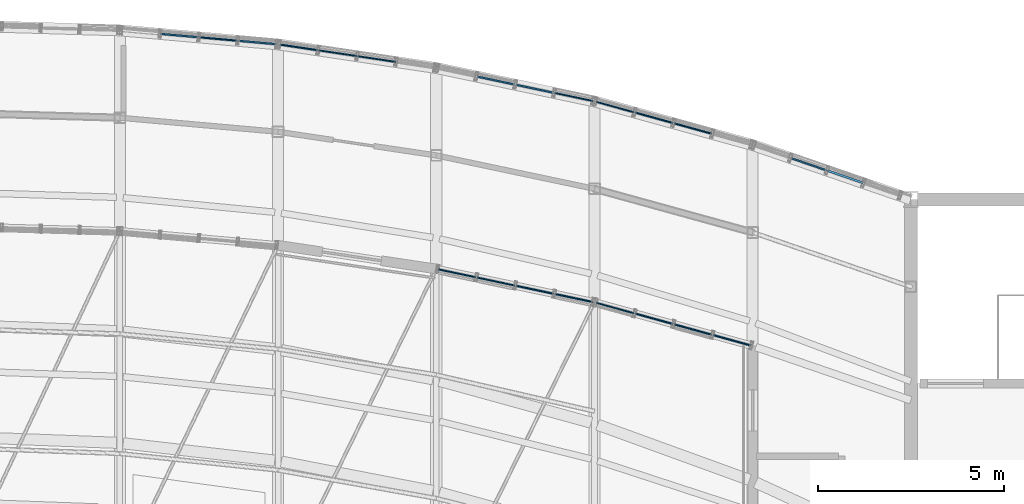
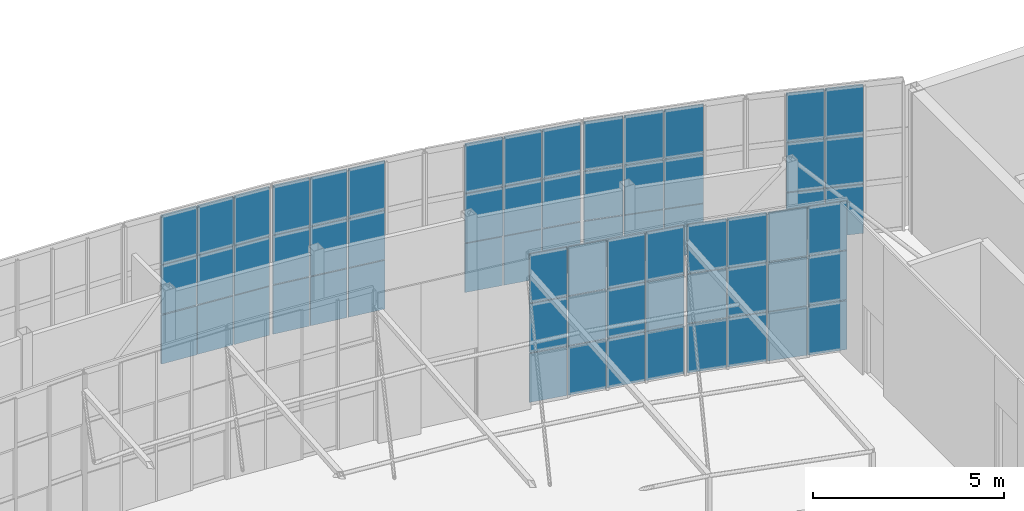
# One storey, part 29 of 35: 66 plates, 7 elements without a shape of their own.
"""IFC4 building model written with IfcOpenShell, lengths in metres."""

from ifc_helpers import new_model, si_unit, direction, frame, origin, origin_2d, place, context, subcontext, project, spatial, rectangle, extrude, material, layer, layer_set, type_object, element, aggregate, save


model = new_model("IFC4")

# Units and contexts
model_context = context("Model", 3, precision=1e-05, world=origin(), true_north=direction((0.0, 1.0)))
body_context = subcontext(model_context, "Body", "Model", "MODEL_VIEW")
ifc_project = project(units=[si_unit("LENGTHUNIT", "METRE"), si_unit("AREAUNIT", "SQUARE_METRE"), si_unit("VOLUMEUNIT", "CUBIC_METRE"), si_unit("PLANEANGLEUNIT", "RADIAN"), si_unit("MASSUNIT", "GRAM", prefix="KILO")], contexts=[model_context])

# Site, building, storey
site_placement = place(None, origin())
site = spatial("IfcSite", under=ifc_project, at=site_placement, CompositionType="ELEMENT")
building_placement = place(site_placement, origin())
building = spatial("IfcBuilding", under=site, at=building_placement, Name="Solvikara Media Centre", CompositionType="ELEMENT")
storey_placement = place(building_placement, frame((0.0, 0.0, 29.39990234375)))
storey = spatial("IfcBuildingStorey", under=building, at=storey_placement, Name="L06", CompositionType="ELEMENT", Elevation=29.39990234375)

# Curtain wall, plates
ifc_material_1 = material(Name="Anodised aluminium EN AW-6063", Category="aluminium")
curtain_wall_type = type_object("IfcCurtainWallType", Name="CW-13", PredefinedType="NOTDEFINED", material=ifc_material_1)
curtain_wall_1_placement = place(storey_placement, origin())
curtain_wall_1 = element("IfcCurtainWall", 1, at=curtain_wall_1_placement, inside=storey, type_object=curtain_wall_type, Name="CW-L06-NARC-07", PredefinedType="NOTDEFINED")
ifc_material_2 = material(Name="Laminated solar-control cyan vision glass", Category="glass")
ifc_layer_1 = layer(ifc_material_2, 0.035888671875)
ifc_layer_set_1 = layer_set([ifc_layer_1], Name="Laminated solar-control cyan vision glass")
plate_type_1 = type_object("IfcPlateType", Name="PN-04", PredefinedType="CURTAIN_PANEL", material=ifc_layer_set_1)
plate_1_placement = place(storey_placement, frame((107.85302734375, 41.198974609375, 1.62158203125), z_axis=(0.0, 0.0, 1.0), x_axis=(0.99608438842, -0.088407528781, 0.0)))
plate_1 = element("IfcPlate", 2, at=plate_1_placement, type_object=plate_type_1, Name="CW-L06-NARC-07-P0101", PredefinedType="CURTAIN_PANEL", context=body_context, shape_type="SweptSolid", body=[
    extrude(rectangle(XDim=1.01904296875, YDim=0.035888671875, at=origin_2d()), origin(), (0.0, 0.0, 1.0), 1.556884765625),
])
plate_2_placement = place(storey_placement, frame((108.89794921875, 41.10595703125, 0.03466796875), z_axis=(0.0, 0.0, 1.0), x_axis=(0.99608438842, -0.088407528781, 0.0)))
plate_2 = element("IfcPlate", 3, at=plate_2_placement, type_object=plate_type_1, Name="CW-L06-NARC-07-P0200", PredefinedType="CURTAIN_PANEL", context=body_context, shape_type="SweptSolid", body=[
    extrude(rectangle(XDim=1.01904296875, YDim=0.035888671875, at=origin_2d()), origin(), (0.0, 0.0, 1.0), 1.556884765625),
])
plate_3_placement = place(storey_placement, frame((108.89794921875, 41.10595703125, 1.62158203125), z_axis=(0.0, 0.0, 1.0), x_axis=(0.99608438842, -0.088407528781, 0.0)))
plate_3 = element("IfcPlate", 4, at=plate_3_placement, type_object=plate_type_1, Name="CW-L06-NARC-07-P0201", PredefinedType="CURTAIN_PANEL", context=body_context, shape_type="SweptSolid", body=[
    extrude(rectangle(XDim=1.01904296875, YDim=0.035888671875, at=origin_2d()), origin(), (0.0, 0.0, 1.0), 1.556884765625),
])
plate_4_placement = place(storey_placement, frame((109.943115234375, 41.012939453125, 0.03466796875), z_axis=(0.0, 0.0, 1.0), x_axis=(0.99608438842, -0.088407528781, 0.0)))
plate_4 = element("IfcPlate", 5, at=plate_4_placement, type_object=plate_type_1, Name="CW-L06-NARC-07-P0300", PredefinedType="CURTAIN_PANEL", context=body_context, shape_type="SweptSolid", body=[
    extrude(rectangle(XDim=1.01904296875, YDim=0.035888671875, at=origin_2d()), origin(), (0.0, 0.0, 1.0), 1.556884765625),
])

curtain_wall_2_placement = place(storey_placement, origin())
curtain_wall_2 = element("IfcCurtainWall", 6, at=curtain_wall_2_placement, inside=storey, type_object=curtain_wall_type, Name="CW-L06-NARC-08", PredefinedType="NOTDEFINED")
plate_5_placement = place(storey_placement, frame((111.056884765625, 40.881103515625, 0.03466796875), z_axis=(0.0, 0.0, 1.0), x_axis=(0.989005541908, -0.147878457102, 0.0)))
plate_5 = element("IfcPlate", 7, at=plate_5_placement, type_object=plate_type_1, Name="CW-L06-NARC-08-P0000", PredefinedType="CURTAIN_PANEL", context=body_context, shape_type="SweptSolid", body=[
    extrude(rectangle(XDim=1.027099609375, YDim=0.035888671875, at=origin_2d()), origin(), (0.0, 0.0, 1.0), 1.556884765625),
])
plate_6_placement = place(storey_placement, frame((111.056884765625, 40.881103515625, 1.62158203125), z_axis=(0.0, 0.0, 1.0), x_axis=(0.989005541908, -0.147878457102, 0.0)))
plate_6 = element("IfcPlate", 8, at=plate_6_placement, type_object=plate_type_1, Name="CW-L06-NARC-08-P0001", PredefinedType="CURTAIN_PANEL", context=body_context, shape_type="SweptSolid", body=[
    extrude(rectangle(XDim=1.027099609375, YDim=0.035888671875, at=origin_2d()), origin(), (0.0, 0.0, 1.0), 1.556884765625),
])
plate_7_placement = place(storey_placement, frame((112.10302734375, 40.72509765625, 0.03466796875), z_axis=(0.0, 0.0, 1.0), x_axis=(0.989005541908, -0.147878457102, 0.0)))
plate_7 = element("IfcPlate", 9, at=plate_7_placement, type_object=plate_type_1, Name="CW-L06-NARC-08-P0100", PredefinedType="CURTAIN_PANEL", context=body_context, shape_type="SweptSolid", body=[
    extrude(rectangle(XDim=1.027099609375, YDim=0.035888671875, at=origin_2d()), origin(), (0.0, 0.0, 1.0), 1.556884765625),
])
plate_8_placement = place(storey_placement, frame((112.10302734375, 40.72509765625, 1.62158203125), z_axis=(0.0, 0.0, 1.0), x_axis=(0.989005541908, -0.147878457102, 0.0)))
plate_8 = element("IfcPlate", 10, at=plate_8_placement, type_object=plate_type_1, Name="CW-L06-NARC-08-P0101", PredefinedType="CURTAIN_PANEL", context=body_context, shape_type="SweptSolid", body=[
    extrude(rectangle(XDim=1.027099609375, YDim=0.035888671875, at=origin_2d()), origin(), (0.0, 0.0, 1.0), 1.556884765625),
])
plate_9_placement = place(storey_placement, frame((112.10302734375, 40.72509765625, 3.20849609375), z_axis=(0.0, 0.0, 1.0), x_axis=(0.989005541908, -0.147878457102, 0.0)))
plate_9 = element("IfcPlate", 11, at=plate_9_placement, type_object=plate_type_1, Name="CW-L06-NARC-08-P0102", PredefinedType="CURTAIN_PANEL", context=body_context, shape_type="SweptSolid", body=[
    extrude(rectangle(XDim=1.027099609375, YDim=0.035888671875, at=origin_2d()), origin(), (0.0, 0.0, 1.0), 1.556884765625),
])
plate_10_placement = place(storey_placement, frame((113.14794921875, 40.568115234375, 0.03466796875), z_axis=(0.0, 0.0, 1.0), x_axis=(0.989005541908, -0.147878457102, 0.0)))
plate_10 = element("IfcPlate", 12, at=plate_10_placement, type_object=plate_type_1, Name="CW-L06-NARC-08-P0200", PredefinedType="CURTAIN_PANEL", context=body_context, shape_type="SweptSolid", body=[
    extrude(rectangle(XDim=1.027099609375, YDim=0.035888671875, at=origin_2d()), origin(), (0.0, 0.0, 1.0), 1.556884765625),
])
plate_11_placement = place(storey_placement, frame((113.14794921875, 40.568115234375, 1.62158203125), z_axis=(0.0, 0.0, 1.0), x_axis=(0.989005541908, -0.147878457102, 0.0)))
plate_11 = element("IfcPlate", 13, at=plate_11_placement, type_object=plate_type_1, Name="CW-L06-NARC-08-P0201", PredefinedType="CURTAIN_PANEL", context=body_context, shape_type="SweptSolid", body=[
    extrude(rectangle(XDim=1.027099609375, YDim=0.035888671875, at=origin_2d()), origin(), (0.0, 0.0, 1.0), 1.556884765625),
])
plate_12_placement = place(storey_placement, frame((113.14794921875, 40.568115234375, 3.20849609375), z_axis=(0.0, 0.0, 1.0), x_axis=(0.989005541908, -0.147878457102, 0.0)))
plate_12 = element("IfcPlate", 14, at=plate_12_placement, type_object=plate_type_1, Name="CW-L06-NARC-08-P0202", PredefinedType="CURTAIN_PANEL", context=body_context, shape_type="SweptSolid", body=[
    extrude(rectangle(XDim=1.027099609375, YDim=0.035888671875, at=origin_2d()), origin(), (0.0, 0.0, 1.0), 1.556884765625),
])

curtain_wall_3_placement = place(storey_placement, origin())
curtain_wall_3 = element("IfcCurtainWall", 15, at=curtain_wall_3_placement, inside=storey, type_object=curtain_wall_type, Name="CW-L06-NARC-09", PredefinedType="NOTDEFINED")
plate_13_placement = place(storey_placement, frame((116.35205078125, 39.989990234375, 0.03466796875), z_axis=(0.0, 0.0, 1.0), x_axis=(0.97837923005, -0.206818959981, 0.0)))
plate_13 = element("IfcPlate", 16, at=plate_13_placement, type_object=plate_type_1, Name="CW-L06-NARC-09-P0100", PredefinedType="CURTAIN_PANEL", context=body_context, shape_type="SweptSolid", body=[
    extrude(rectangle(XDim=1.0390625, YDim=0.035888671875, at=origin_2d()), origin(), (0.0, 0.0, 1.0), 1.556884765625),
])
plate_14_placement = place(storey_placement, frame((117.39794921875, 39.76904296875, 0.03466796875), z_axis=(0.0, 0.0, 1.0), x_axis=(0.97837923005, -0.206818959981, 0.0)))
plate_14 = element("IfcPlate", 17, at=plate_14_placement, type_object=plate_type_1, Name="CW-L06-NARC-09-P0200", PredefinedType="CURTAIN_PANEL", context=body_context, shape_type="SweptSolid", body=[
    extrude(rectangle(XDim=1.0390625, YDim=0.035888671875, at=origin_2d()), origin(), (0.0, 0.0, 1.0), 1.556884765625),
])
plate_15_placement = place(storey_placement, frame((118.443115234375, 39.549072265625, 0.03466796875), z_axis=(0.0, 0.0, 1.0), x_axis=(0.97837923005, -0.206818959981, 0.0)))
plate_15 = element("IfcPlate", 18, at=plate_15_placement, type_object=plate_type_1, Name="CW-L06-NARC-09-P0300", PredefinedType="CURTAIN_PANEL", context=body_context, shape_type="SweptSolid", body=[
    extrude(rectangle(XDim=1.0390625, YDim=0.035888671875, at=origin_2d()), origin(), (0.0, 0.0, 1.0), 1.556884765625),
])
plate_16_placement = place(storey_placement, frame((118.443115234375, 39.549072265625, 1.62158203125), z_axis=(0.0, 0.0, 1.0), x_axis=(0.97837923005, -0.206818959981, 0.0)))
plate_16 = element("IfcPlate", 19, at=plate_16_placement, type_object=plate_type_1, Name="CW-L06-NARC-09-P0301", PredefinedType="CURTAIN_PANEL", context=body_context, shape_type="SweptSolid", body=[
    extrude(rectangle(XDim=1.0390625, YDim=0.035888671875, at=origin_2d()), origin(), (0.0, 0.0, 1.0), 1.556884765625),
])
plate_17_placement = place(storey_placement, frame((118.443115234375, 39.549072265625, 3.20849609375), z_axis=(0.0, 0.0, 1.0), x_axis=(0.97837923005, -0.206818959981, 0.0)))
plate_17 = element("IfcPlate", 20, at=plate_17_placement, type_object=plate_type_1, Name="CW-L06-NARC-09-P0302", PredefinedType="CURTAIN_PANEL", context=body_context, shape_type="SweptSolid", body=[
    extrude(rectangle(XDim=1.0390625, YDim=0.035888671875, at=origin_2d()), origin(), (0.0, 0.0, 1.0), 1.556884765625),
])

curtain_wall_4_placement = place(storey_placement, origin())
curtain_wall_4 = element("IfcCurtainWall", 21, at=curtain_wall_4_placement, inside=storey, type_object=curtain_wall_type, Name="CW-L06-NARC-10", PredefinedType="NOTDEFINED")
plate_18_placement = place(storey_placement, frame((119.556884765625, 39.278076171875, 0.03466796875), z_axis=(0.0, 0.0, 1.0), x_axis=(0.964030487854, -0.265791682504, 0.0)))
plate_18 = element("IfcPlate", 22, at=plate_18_placement, type_object=plate_type_1, Name="CW-L06-NARC-10-P0000", PredefinedType="CURTAIN_PANEL", context=body_context, shape_type="SweptSolid", body=[
    extrude(rectangle(XDim=1.054931640625, YDim=0.035888671875, at=origin_2d()), origin(), (0.0, 0.0, 1.0), 1.556884765625),
])
plate_19_placement = place(storey_placement, frame((119.556884765625, 39.278076171875, 1.62158203125), z_axis=(0.0, 0.0, 1.0), x_axis=(0.964030487854, -0.265791682504, 0.0)))
plate_19 = element("IfcPlate", 23, at=plate_19_placement, type_object=plate_type_1, Name="CW-L06-NARC-10-P0001", PredefinedType="CURTAIN_PANEL", context=body_context, shape_type="SweptSolid", body=[
    extrude(rectangle(XDim=1.054931640625, YDim=0.035888671875, at=origin_2d()), origin(), (0.0, 0.0, 1.0), 1.556884765625),
])
plate_20_placement = place(storey_placement, frame((119.556884765625, 39.278076171875, 3.20849609375), z_axis=(0.0, 0.0, 1.0), x_axis=(0.964030487854, -0.265791682504, 0.0)))
plate_20 = element("IfcPlate", 24, at=plate_20_placement, type_object=plate_type_1, Name="CW-L06-NARC-10-P0002", PredefinedType="CURTAIN_PANEL", context=body_context, shape_type="SweptSolid", body=[
    extrude(rectangle(XDim=1.054931640625, YDim=0.035888671875, at=origin_2d()), origin(), (0.0, 0.0, 1.0), 1.556884765625),
])
plate_21_placement = place(storey_placement, frame((120.60205078125, 38.989990234375, 0.03466796875), z_axis=(0.0, 0.0, 1.0), x_axis=(0.964030487854, -0.265791682504, 0.0)))
plate_21 = element("IfcPlate", 25, at=plate_21_placement, type_object=plate_type_1, Name="CW-L06-NARC-10-P0100", PredefinedType="CURTAIN_PANEL", context=body_context, shape_type="SweptSolid", body=[
    extrude(rectangle(XDim=1.054931640625, YDim=0.035888671875, at=origin_2d()), origin(), (0.0, 0.0, 1.0), 1.556884765625),
])
plate_22_placement = place(storey_placement, frame((120.60205078125, 38.989990234375, 3.20849609375), z_axis=(0.0, 0.0, 1.0), x_axis=(0.964030487854, -0.265791682504, 0.0)))
plate_22 = element("IfcPlate", 26, at=plate_22_placement, type_object=plate_type_1, Name="CW-L06-NARC-10-P0102", PredefinedType="CURTAIN_PANEL", context=body_context, shape_type="SweptSolid", body=[
    extrude(rectangle(XDim=1.054931640625, YDim=0.035888671875, at=origin_2d()), origin(), (0.0, 0.0, 1.0), 1.556884765625),
])
plate_23_placement = place(storey_placement, frame((121.64697265625, 38.700927734375, 0.03466796875), z_axis=(0.0, 0.0, 1.0), x_axis=(0.964030487854, -0.265791682504, 0.0)))
plate_23 = element("IfcPlate", 27, at=plate_23_placement, type_object=plate_type_1, Name="CW-L06-NARC-10-P0200", PredefinedType="CURTAIN_PANEL", context=body_context, shape_type="SweptSolid", body=[
    extrude(rectangle(XDim=1.054931640625, YDim=0.035888671875, at=origin_2d()), origin(), (0.0, 0.0, 1.0), 1.556884765625),
])
plate_24_placement = place(storey_placement, frame((121.64697265625, 38.700927734375, 3.20849609375), z_axis=(0.0, 0.0, 1.0), x_axis=(0.964030487854, -0.265791682504, 0.0)))
plate_24 = element("IfcPlate", 28, at=plate_24_placement, type_object=plate_type_1, Name="CW-L06-NARC-10-P0202", PredefinedType="CURTAIN_PANEL", context=body_context, shape_type="SweptSolid", body=[
    extrude(rectangle(XDim=1.054931640625, YDim=0.035888671875, at=origin_2d()), origin(), (0.0, 0.0, 1.0), 1.556884765625),
])

# Curtain wall, plate
curtain_wall_5_placement = place(storey_placement, origin())
curtain_wall_5 = element("IfcCurtainWall", 29, at=curtain_wall_5_placement, inside=storey, type_object=curtain_wall_type, Name="CW-L06-NARC-11", PredefinedType="NOTDEFINED")
plate_25_placement = place(storey_placement, frame((124.757080078125, 37.741943359375, 3.20849609375), z_axis=(0.0, 0.0, 1.0), x_axis=(0.945705932557, -0.325023520882, 0.0)))
plate_25 = element("IfcPlate", 30, at=plate_25_placement, type_object=plate_type_1, Name="CW-L06-NARC-11-P0102", PredefinedType="CURTAIN_PANEL", context=body_context, shape_type="SweptSolid", body=[
    extrude(rectangle(XDim=1.009033203125, YDim=0.035888671875, at=origin_2d()), origin(), (0.0, 0.0, 1.0), 1.556884765625),
])

# Curtain wall, plates
curtain_wall_6_placement = place(storey_placement, origin())
curtain_wall_6 = element("IfcCurtainWall", 31, at=curtain_wall_6_placement, inside=storey, type_object=curtain_wall_type, Name="CW-L06-GALS-09", PredefinedType="NOTDEFINED")
plate_26_placement = place(storey_placement, frame((115.305908203125, 34.81201171875, 0.03466796875), z_axis=(0.0, 0.0, 1.0), x_axis=(0.97837923005, -0.206818959981, 0.0)))
plate_26 = element("IfcPlate", 32, at=plate_26_placement, type_object=plate_type_1, Name="CW-L06-GALS-09-P0000", PredefinedType="CURTAIN_PANEL", context=body_context, shape_type="SweptSolid", body=[
    extrude(rectangle(XDim=1.0390625, YDim=0.035888671875, at=origin_2d()), origin(), (0.0, 0.0, 1.0), 1.556884765625),
])
plate_27_placement = place(storey_placement, frame((115.305908203125, 34.81201171875, 1.62158203125), z_axis=(0.0, 0.0, 1.0), x_axis=(0.97837923005, -0.206818959981, 0.0)))
plate_27 = element("IfcPlate", 33, at=plate_27_placement, type_object=plate_type_1, Name="CW-L06-GALS-09-P0001", PredefinedType="CURTAIN_PANEL", context=body_context, shape_type="SweptSolid", body=[
    extrude(rectangle(XDim=1.0390625, YDim=0.035888671875, at=origin_2d()), origin(), (0.0, 0.0, 1.0), 1.556884765625),
])
plate_28_placement = place(storey_placement, frame((115.305908203125, 34.81201171875, 3.20849609375), z_axis=(0.0, 0.0, 1.0), x_axis=(0.97837923005, -0.206818959981, 0.0)))
plate_28 = element("IfcPlate", 34, at=plate_28_placement, type_object=plate_type_1, Name="CW-L06-GALS-09-P0002", PredefinedType="CURTAIN_PANEL", context=body_context, shape_type="SweptSolid", body=[
    extrude(rectangle(XDim=1.0390625, YDim=0.035888671875, at=origin_2d()), origin(), (0.0, 0.0, 1.0), 1.556884765625),
])
plate_29_placement = place(storey_placement, frame((116.35205078125, 34.590087890625, 0.03466796875), z_axis=(0.0, 0.0, 1.0), x_axis=(0.97837923005, -0.206818959981, 0.0)))
plate_29 = element("IfcPlate", 35, at=plate_29_placement, type_object=plate_type_1, Name="CW-L06-GALS-09-P0100", PredefinedType="CURTAIN_PANEL", context=body_context, shape_type="SweptSolid", body=[
    extrude(rectangle(XDim=1.0390625, YDim=0.035888671875, at=origin_2d()), origin(), (0.0, 0.0, 1.0), 1.556884765625),
])
plate_30_placement = place(storey_placement, frame((116.35205078125, 34.590087890625, 1.62158203125), z_axis=(0.0, 0.0, 1.0), x_axis=(0.97837923005, -0.206818959981, 0.0)))
plate_30 = element("IfcPlate", 36, at=plate_30_placement, type_object=plate_type_1, Name="CW-L06-GALS-09-P0101", PredefinedType="CURTAIN_PANEL", context=body_context, shape_type="SweptSolid", body=[
    extrude(rectangle(XDim=1.0390625, YDim=0.035888671875, at=origin_2d()), origin(), (0.0, 0.0, 1.0), 1.556884765625),
])
plate_31_placement = place(storey_placement, frame((116.35205078125, 34.590087890625, 3.20849609375), z_axis=(0.0, 0.0, 1.0), x_axis=(0.97837923005, -0.206818959981, 0.0)))
plate_31 = element("IfcPlate", 37, at=plate_31_placement, type_object=plate_type_1, Name="CW-L06-GALS-09-P0102", PredefinedType="CURTAIN_PANEL", context=body_context, shape_type="SweptSolid", body=[
    extrude(rectangle(XDim=1.0390625, YDim=0.035888671875, at=origin_2d()), origin(), (0.0, 0.0, 1.0), 1.556884765625),
])
plate_32_placement = place(storey_placement, frame((117.39794921875, 34.368896484375, 0.03466796875), z_axis=(0.0, 0.0, 1.0), x_axis=(0.97837923005, -0.206818959981, 0.0)))
plate_32 = element("IfcPlate", 38, at=plate_32_placement, type_object=plate_type_1, Name="CW-L06-GALS-09-P0200", PredefinedType="CURTAIN_PANEL", context=body_context, shape_type="SweptSolid", body=[
    extrude(rectangle(XDim=1.0390625, YDim=0.035888671875, at=origin_2d()), origin(), (0.0, 0.0, 1.0), 1.556884765625),
])
plate_33_placement = place(storey_placement, frame((117.39794921875, 34.368896484375, 1.62158203125), z_axis=(0.0, 0.0, 1.0), x_axis=(0.97837923005, -0.206818959981, 0.0)))
plate_33 = element("IfcPlate", 39, at=plate_33_placement, type_object=plate_type_1, Name="CW-L06-GALS-09-P0201", PredefinedType="CURTAIN_PANEL", context=body_context, shape_type="SweptSolid", body=[
    extrude(rectangle(XDim=1.0390625, YDim=0.035888671875, at=origin_2d()), origin(), (0.0, 0.0, 1.0), 1.556884765625),
])
plate_34_placement = place(storey_placement, frame((118.443115234375, 34.14892578125, 0.03466796875), z_axis=(0.0, 0.0, 1.0), x_axis=(0.97837923005, -0.206818959981, 0.0)))
plate_34 = element("IfcPlate", 40, at=plate_34_placement, type_object=plate_type_1, Name="CW-L06-GALS-09-P0300", PredefinedType="CURTAIN_PANEL", context=body_context, shape_type="SweptSolid", body=[
    extrude(rectangle(XDim=1.0390625, YDim=0.035888671875, at=origin_2d()), origin(), (0.0, 0.0, 1.0), 1.556884765625),
])
plate_35_placement = place(storey_placement, frame((118.443115234375, 34.14892578125, 3.20849609375), z_axis=(0.0, 0.0, 1.0), x_axis=(0.97837923005, -0.206818959981, 0.0)))
plate_35 = element("IfcPlate", 41, at=plate_35_placement, type_object=plate_type_1, Name="CW-L06-GALS-09-P0302", PredefinedType="CURTAIN_PANEL", context=body_context, shape_type="SweptSolid", body=[
    extrude(rectangle(XDim=1.0390625, YDim=0.035888671875, at=origin_2d()), origin(), (0.0, 0.0, 1.0), 1.556884765625),
])

curtain_wall_7_placement = place(storey_placement, origin())
curtain_wall_7 = element("IfcCurtainWall", 42, at=curtain_wall_7_placement, inside=storey, type_object=curtain_wall_type, Name="CW-L06-GALS-10", PredefinedType="NOTDEFINED")
plate_36_placement = place(storey_placement, frame((119.556884765625, 33.8779296875, 0.03466796875), z_axis=(0.0, 0.0, 1.0), x_axis=(0.964030487854, -0.265791682504, 0.0)))
plate_36 = element("IfcPlate", 43, at=plate_36_placement, type_object=plate_type_1, Name="CW-L06-GALS-10-P0000", PredefinedType="CURTAIN_PANEL", context=body_context, shape_type="SweptSolid", body=[
    extrude(rectangle(XDim=1.054931640625, YDim=0.035888671875, at=origin_2d()), origin(), (0.0, 0.0, 1.0), 1.556884765625),
])
plate_37_placement = place(storey_placement, frame((119.556884765625, 33.8779296875, 1.62158203125), z_axis=(0.0, 0.0, 1.0), x_axis=(0.964030487854, -0.265791682504, 0.0)))
plate_37 = element("IfcPlate", 44, at=plate_37_placement, type_object=plate_type_1, Name="CW-L06-GALS-10-P0001", PredefinedType="CURTAIN_PANEL", context=body_context, shape_type="SweptSolid", body=[
    extrude(rectangle(XDim=1.054931640625, YDim=0.035888671875, at=origin_2d()), origin(), (0.0, 0.0, 1.0), 1.556884765625),
])
plate_38_placement = place(storey_placement, frame((119.556884765625, 33.8779296875, 3.20849609375), z_axis=(0.0, 0.0, 1.0), x_axis=(0.964030487854, -0.265791682504, 0.0)))
plate_38 = element("IfcPlate", 45, at=plate_38_placement, type_object=plate_type_1, Name="CW-L06-GALS-10-P0002", PredefinedType="CURTAIN_PANEL", context=body_context, shape_type="SweptSolid", body=[
    extrude(rectangle(XDim=1.054931640625, YDim=0.035888671875, at=origin_2d()), origin(), (0.0, 0.0, 1.0), 1.556884765625),
])
plate_39_placement = place(storey_placement, frame((120.60205078125, 33.590087890625, 0.03466796875), z_axis=(0.0, 0.0, 1.0), x_axis=(0.964030487854, -0.265791682504, 0.0)))
plate_39 = element("IfcPlate", 46, at=plate_39_placement, type_object=plate_type_1, Name="CW-L06-GALS-10-P0100", PredefinedType="CURTAIN_PANEL", context=body_context, shape_type="SweptSolid", body=[
    extrude(rectangle(XDim=1.054931640625, YDim=0.035888671875, at=origin_2d()), origin(), (0.0, 0.0, 1.0), 1.556884765625),
])
plate_40_placement = place(storey_placement, frame((120.60205078125, 33.590087890625, 1.62158203125), z_axis=(0.0, 0.0, 1.0), x_axis=(0.964030487854, -0.265791682504, 0.0)))
plate_40 = element("IfcPlate", 47, at=plate_40_placement, type_object=plate_type_1, Name="CW-L06-GALS-10-P0101", PredefinedType="CURTAIN_PANEL", context=body_context, shape_type="SweptSolid", body=[
    extrude(rectangle(XDim=1.054931640625, YDim=0.035888671875, at=origin_2d()), origin(), (0.0, 0.0, 1.0), 1.556884765625),
])
plate_41_placement = place(storey_placement, frame((121.64697265625, 33.301025390625, 0.03466796875), z_axis=(0.0, 0.0, 1.0), x_axis=(0.964030487854, -0.265791682504, 0.0)))
plate_41 = element("IfcPlate", 48, at=plate_41_placement, type_object=plate_type_1, Name="CW-L06-GALS-10-P0200", PredefinedType="CURTAIN_PANEL", context=body_context, shape_type="SweptSolid", body=[
    extrude(rectangle(XDim=1.054931640625, YDim=0.035888671875, at=origin_2d()), origin(), (0.0, 0.0, 1.0), 1.556884765625),
])
plate_42_placement = place(storey_placement, frame((121.64697265625, 33.301025390625, 3.20849609375), z_axis=(0.0, 0.0, 1.0), x_axis=(0.964030487854, -0.265791682504, 0.0)))
plate_42 = element("IfcPlate", 49, at=plate_42_placement, type_object=plate_type_1, Name="CW-L06-GALS-10-P0202", PredefinedType="CURTAIN_PANEL", context=body_context, shape_type="SweptSolid", body=[
    extrude(rectangle(XDim=1.054931640625, YDim=0.035888671875, at=origin_2d()), origin(), (0.0, 0.0, 1.0), 1.556884765625),
])
plate_43_placement = place(storey_placement, frame((122.693115234375, 33.012939453125, 1.62158203125), z_axis=(0.0, 0.0, 1.0), x_axis=(0.964030487854, -0.265791682504, 0.0)))
plate_43 = element("IfcPlate", 50, at=plate_43_placement, type_object=plate_type_1, Name="CW-L06-GALS-10-P0301", PredefinedType="CURTAIN_PANEL", context=body_context, shape_type="SweptSolid", body=[
    extrude(rectangle(XDim=1.054931640625, YDim=0.035888671875, at=origin_2d()), origin(), (0.0, 0.0, 1.0), 1.556884765625),
])
plate_44_placement = place(storey_placement, frame((122.693115234375, 33.012939453125, 3.20849609375), z_axis=(0.0, 0.0, 1.0), x_axis=(0.964030487854, -0.265791682504, 0.0)))
plate_44 = element("IfcPlate", 51, at=plate_44_placement, type_object=plate_type_1, Name="CW-L06-GALS-10-P0302", PredefinedType="CURTAIN_PANEL", context=body_context, shape_type="SweptSolid", body=[
    extrude(rectangle(XDim=1.054931640625, YDim=0.035888671875, at=origin_2d()), origin(), (0.0, 0.0, 1.0), 1.556884765625),
])

# Plate
ifc_material_3 = material(Name="Insulated silver-pearl glass spandrel panel", Category="glass")
ifc_layer_2 = layer(ifc_material_3, 0.054931640625)
ifc_layer_set_2 = layer_set([ifc_layer_2], Name="Insulated silver-pearl glass spandrel panel")
plate_type_2 = type_object("IfcPlateType", Name="PN-05", PredefinedType="CURTAIN_PANEL", material=ifc_layer_set_2)
plate_45_placement = place(storey_placement, frame((107.85302734375, 41.198974609375, 0.03466796875), z_axis=(0.0, 0.0, 1.0), x_axis=(0.99608438842, -0.088407528781, 0.0)))
plate_45 = element("IfcPlate", 52, at=plate_45_placement, type_object=plate_type_2, Name="CW-L06-NARC-07-P0100", PredefinedType="CURTAIN_PANEL", context=body_context, shape_type="SweptSolid", body=[
    extrude(rectangle(XDim=1.01904296875, YDim=0.054931640625, at=origin_2d()), origin(), (0.0, 0.0, 1.0), 1.556884765625),
])

plate_46_placement = place(storey_placement, frame((107.85302734375, 41.198974609375, 3.20849609375), z_axis=(0.0, 0.0, 1.0), x_axis=(0.99608438842, -0.088407528781, 0.0)))
plate_46 = element("IfcPlate", 53, at=plate_46_placement, type_object=plate_type_2, Name="CW-L06-NARC-07-P0102", PredefinedType="CURTAIN_PANEL", context=body_context, shape_type="SweptSolid", body=[
    extrude(rectangle(XDim=1.01904296875, YDim=0.054931640625, at=origin_2d()), origin(), (0.0, 0.0, 1.0), 1.556884765625),
])

plate_47_placement = place(storey_placement, frame((108.89794921875, 41.10595703125, 3.20849609375), z_axis=(0.0, 0.0, 1.0), x_axis=(0.99608438842, -0.088407528781, 0.0)))
plate_47 = element("IfcPlate", 54, at=plate_47_placement, type_object=plate_type_2, Name="CW-L06-NARC-07-P0202", PredefinedType="CURTAIN_PANEL", context=body_context, shape_type="SweptSolid", body=[
    extrude(rectangle(XDim=1.01904296875, YDim=0.054931640625, at=origin_2d()), origin(), (0.0, 0.0, 1.0), 1.556884765625),
])

plate_48_placement = place(storey_placement, frame((109.943115234375, 41.012939453125, 1.62158203125), z_axis=(0.0, 0.0, 1.0), x_axis=(0.99608438842, -0.088407528781, 0.0)))
plate_48 = element("IfcPlate", 55, at=plate_48_placement, type_object=plate_type_2, Name="CW-L06-NARC-07-P0301", PredefinedType="CURTAIN_PANEL", context=body_context, shape_type="SweptSolid", body=[
    extrude(rectangle(XDim=1.01904296875, YDim=0.054931640625, at=origin_2d()), origin(), (0.0, 0.0, 1.0), 1.556884765625),
])

plate_49_placement = place(storey_placement, frame((109.943115234375, 41.012939453125, 3.20849609375), z_axis=(0.0, 0.0, 1.0), x_axis=(0.99608438842, -0.088407528781, 0.0)))
plate_49 = element("IfcPlate", 56, at=plate_49_placement, type_object=plate_type_2, Name="CW-L06-NARC-07-P0302", PredefinedType="CURTAIN_PANEL", context=body_context, shape_type="SweptSolid", body=[
    extrude(rectangle(XDim=1.01904296875, YDim=0.054931640625, at=origin_2d()), origin(), (0.0, 0.0, 1.0), 1.556884765625),
])

aggregate(curtain_wall_1, [plate_45, plate_1, plate_46, plate_2, plate_3, plate_47, plate_4, plate_48, plate_49])

plate_50_placement = place(storey_placement, frame((111.056884765625, 40.881103515625, 3.20849609375), z_axis=(0.0, 0.0, 1.0), x_axis=(0.989005541908, -0.147878457102, 0.0)))
plate_50 = element("IfcPlate", 57, at=plate_50_placement, type_object=plate_type_2, Name="CW-L06-NARC-08-P0002", PredefinedType="CURTAIN_PANEL", context=body_context, shape_type="SweptSolid", body=[
    extrude(rectangle(XDim=1.027099609375, YDim=0.054931640625, at=origin_2d()), origin(), (0.0, 0.0, 1.0), 1.556884765625),
])

aggregate(curtain_wall_2, [plate_5, plate_6, plate_50, plate_7, plate_8, plate_9, plate_10, plate_11, plate_12])

plate_51_placement = place(storey_placement, frame((116.35205078125, 39.989990234375, 1.62158203125), z_axis=(0.0, 0.0, 1.0), x_axis=(0.97837923005, -0.206818959981, 0.0)))
plate_51 = element("IfcPlate", 58, at=plate_51_placement, type_object=plate_type_2, Name="CW-L06-NARC-09-P0101", PredefinedType="CURTAIN_PANEL", context=body_context, shape_type="SweptSolid", body=[
    extrude(rectangle(XDim=1.0390625, YDim=0.054931640625, at=origin_2d()), origin(), (0.0, 0.0, 1.0), 1.556884765625),
])

plate_52_placement = place(storey_placement, frame((116.35205078125, 39.989990234375, 3.20849609375), z_axis=(0.0, 0.0, 1.0), x_axis=(0.97837923005, -0.206818959981, 0.0)))
plate_52 = element("IfcPlate", 59, at=plate_52_placement, type_object=plate_type_2, Name="CW-L06-NARC-09-P0102", PredefinedType="CURTAIN_PANEL", context=body_context, shape_type="SweptSolid", body=[
    extrude(rectangle(XDim=1.0390625, YDim=0.054931640625, at=origin_2d()), origin(), (0.0, 0.0, 1.0), 1.556884765625),
])

plate_53_placement = place(storey_placement, frame((117.39794921875, 39.76904296875, 1.62158203125), z_axis=(0.0, 0.0, 1.0), x_axis=(0.97837923005, -0.206818959981, 0.0)))
plate_53 = element("IfcPlate", 60, at=plate_53_placement, type_object=plate_type_2, Name="CW-L06-NARC-09-P0201", PredefinedType="CURTAIN_PANEL", context=body_context, shape_type="SweptSolid", body=[
    extrude(rectangle(XDim=1.0390625, YDim=0.054931640625, at=origin_2d()), origin(), (0.0, 0.0, 1.0), 1.556884765625),
])

plate_54_placement = place(storey_placement, frame((117.39794921875, 39.76904296875, 3.20849609375), z_axis=(0.0, 0.0, 1.0), x_axis=(0.97837923005, -0.206818959981, 0.0)))
plate_54 = element("IfcPlate", 61, at=plate_54_placement, type_object=plate_type_2, Name="CW-L06-NARC-09-P0202", PredefinedType="CURTAIN_PANEL", context=body_context, shape_type="SweptSolid", body=[
    extrude(rectangle(XDim=1.0390625, YDim=0.054931640625, at=origin_2d()), origin(), (0.0, 0.0, 1.0), 1.556884765625),
])

aggregate(curtain_wall_3, [plate_13, plate_51, plate_52, plate_14, plate_53, plate_54, plate_15, plate_16, plate_17])

plate_55_placement = place(storey_placement, frame((120.60205078125, 38.989990234375, 1.62158203125), z_axis=(0.0, 0.0, 1.0), x_axis=(0.964030487854, -0.265791682504, 0.0)))
plate_55 = element("IfcPlate", 62, at=plate_55_placement, type_object=plate_type_2, Name="CW-L06-NARC-10-P0101", PredefinedType="CURTAIN_PANEL", context=body_context, shape_type="SweptSolid", body=[
    extrude(rectangle(XDim=1.054931640625, YDim=0.054931640625, at=origin_2d()), origin(), (0.0, 0.0, 1.0), 1.556884765625),
])

plate_56_placement = place(storey_placement, frame((121.64697265625, 38.700927734375, 1.62158203125), z_axis=(0.0, 0.0, 1.0), x_axis=(0.964030487854, -0.265791682504, 0.0)))
plate_56 = element("IfcPlate", 63, at=plate_56_placement, type_object=plate_type_2, Name="CW-L06-NARC-10-P0201", PredefinedType="CURTAIN_PANEL", context=body_context, shape_type="SweptSolid", body=[
    extrude(rectangle(XDim=1.054931640625, YDim=0.054931640625, at=origin_2d()), origin(), (0.0, 0.0, 1.0), 1.556884765625),
])

aggregate(curtain_wall_4, [plate_18, plate_19, plate_20, plate_21, plate_55, plate_22, plate_23, plate_56, plate_24])

plate_57_placement = place(storey_placement, frame((124.757080078125, 37.741943359375, 0.03466796875), z_axis=(0.0, 0.0, 1.0), x_axis=(0.945705932557, -0.325023520882, 0.0)))
plate_57 = element("IfcPlate", 64, at=plate_57_placement, type_object=plate_type_2, Name="CW-L06-NARC-11-P0100", PredefinedType="CURTAIN_PANEL", context=body_context, shape_type="SweptSolid", body=[
    extrude(rectangle(XDim=1.009033203125, YDim=0.054931640625, at=origin_2d()), origin(), (0.0, 0.0, 1.0), 1.556884765625),
])

plate_58_placement = place(storey_placement, frame((124.757080078125, 37.741943359375, 1.62158203125), z_axis=(0.0, 0.0, 1.0), x_axis=(0.945705932557, -0.325023520882, 0.0)))
plate_58 = element("IfcPlate", 65, at=plate_58_placement, type_object=plate_type_2, Name="CW-L06-NARC-11-P0101", PredefinedType="CURTAIN_PANEL", context=body_context, shape_type="SweptSolid", body=[
    extrude(rectangle(XDim=1.009033203125, YDim=0.054931640625, at=origin_2d()), origin(), (0.0, 0.0, 1.0), 1.556884765625),
])

plate_59_placement = place(storey_placement, frame((125.739990234375, 37.405029296875, 0.03466796875), z_axis=(0.0, 0.0, 1.0), x_axis=(0.945705932557, -0.325023520882, 0.0)))
plate_59 = element("IfcPlate", 66, at=plate_59_placement, type_object=plate_type_2, Name="CW-L06-NARC-11-P0200", PredefinedType="CURTAIN_PANEL", context=body_context, shape_type="SweptSolid", body=[
    extrude(rectangle(XDim=1.009033203125, YDim=0.054931640625, at=origin_2d()), origin(), (0.0, 0.0, 1.0), 1.556884765625),
])

plate_60_placement = place(storey_placement, frame((125.739990234375, 37.405029296875, 1.62158203125), z_axis=(0.0, 0.0, 1.0), x_axis=(0.945705932557, -0.325023520882, 0.0)))
plate_60 = element("IfcPlate", 67, at=plate_60_placement, type_object=plate_type_2, Name="CW-L06-NARC-11-P0201", PredefinedType="CURTAIN_PANEL", context=body_context, shape_type="SweptSolid", body=[
    extrude(rectangle(XDim=1.009033203125, YDim=0.054931640625, at=origin_2d()), origin(), (0.0, 0.0, 1.0), 1.556884765625),
])

plate_61_placement = place(storey_placement, frame((125.739990234375, 37.405029296875, 3.20849609375), z_axis=(0.0, 0.0, 1.0), x_axis=(0.945705932557, -0.325023520882, 0.0)))
plate_61 = element("IfcPlate", 68, at=plate_61_placement, type_object=plate_type_2, Name="CW-L06-NARC-11-P0202", PredefinedType="CURTAIN_PANEL", context=body_context, shape_type="SweptSolid", body=[
    extrude(rectangle(XDim=1.009033203125, YDim=0.054931640625, at=origin_2d()), origin(), (0.0, 0.0, 1.0), 1.556884765625),
])

aggregate(curtain_wall_5, [plate_57, plate_58, plate_25, plate_59, plate_60, plate_61])

plate_62_placement = place(storey_placement, frame((117.39794921875, 34.368896484375, 3.20849609375), z_axis=(0.0, 0.0, 1.0), x_axis=(0.97837923005, -0.206818959981, 0.0)))
plate_62 = element("IfcPlate", 69, at=plate_62_placement, type_object=plate_type_2, Name="CW-L06-GALS-09-P0202", PredefinedType="CURTAIN_PANEL", context=body_context, shape_type="SweptSolid", body=[
    extrude(rectangle(XDim=1.0390625, YDim=0.054931640625, at=origin_2d()), origin(), (0.0, 0.0, 1.0), 1.556884765625),
])

plate_63_placement = place(storey_placement, frame((118.443115234375, 34.14892578125, 1.62158203125), z_axis=(0.0, 0.0, 1.0), x_axis=(0.97837923005, -0.206818959981, 0.0)))
plate_63 = element("IfcPlate", 70, at=plate_63_placement, type_object=plate_type_2, Name="CW-L06-GALS-09-P0301", PredefinedType="CURTAIN_PANEL", context=body_context, shape_type="SweptSolid", body=[
    extrude(rectangle(XDim=1.0390625, YDim=0.054931640625, at=origin_2d()), origin(), (0.0, 0.0, 1.0), 1.556884765625),
])

aggregate(curtain_wall_6, [plate_26, plate_27, plate_28, plate_29, plate_30, plate_31, plate_32, plate_33, plate_62, plate_34, plate_63, plate_35])

plate_64_placement = place(storey_placement, frame((120.60205078125, 33.590087890625, 3.20849609375), z_axis=(0.0, 0.0, 1.0), x_axis=(0.964030487854, -0.265791682504, 0.0)))
plate_64 = element("IfcPlate", 71, at=plate_64_placement, type_object=plate_type_2, Name="CW-L06-GALS-10-P0102", PredefinedType="CURTAIN_PANEL", context=body_context, shape_type="SweptSolid", body=[
    extrude(rectangle(XDim=1.054931640625, YDim=0.054931640625, at=origin_2d()), origin(), (0.0, 0.0, 1.0), 1.556884765625),
])

plate_65_placement = place(storey_placement, frame((121.64697265625, 33.301025390625, 1.62158203125), z_axis=(0.0, 0.0, 1.0), x_axis=(0.964030487854, -0.265791682504, 0.0)))
plate_65 = element("IfcPlate", 72, at=plate_65_placement, type_object=plate_type_2, Name="CW-L06-GALS-10-P0201", PredefinedType="CURTAIN_PANEL", context=body_context, shape_type="SweptSolid", body=[
    extrude(rectangle(XDim=1.054931640625, YDim=0.054931640625, at=origin_2d()), origin(), (0.0, 0.0, 1.0), 1.556884765625),
])

plate_66_placement = place(storey_placement, frame((122.693115234375, 33.012939453125, 0.03466796875), z_axis=(0.0, 0.0, 1.0), x_axis=(0.964030487854, -0.265791682504, 0.0)))
plate_66 = element("IfcPlate", 73, at=plate_66_placement, type_object=plate_type_2, Name="CW-L06-GALS-10-P0300", PredefinedType="CURTAIN_PANEL", context=body_context, shape_type="SweptSolid", body=[
    extrude(rectangle(XDim=1.054931640625, YDim=0.054931640625, at=origin_2d()), origin(), (0.0, 0.0, 1.0), 1.556884765625),
])

aggregate(curtain_wall_7, [plate_36, plate_37, plate_38, plate_39, plate_40, plate_64, plate_41, plate_65, plate_42, plate_66, plate_43, plate_44])

save(model, "model.ifc")
